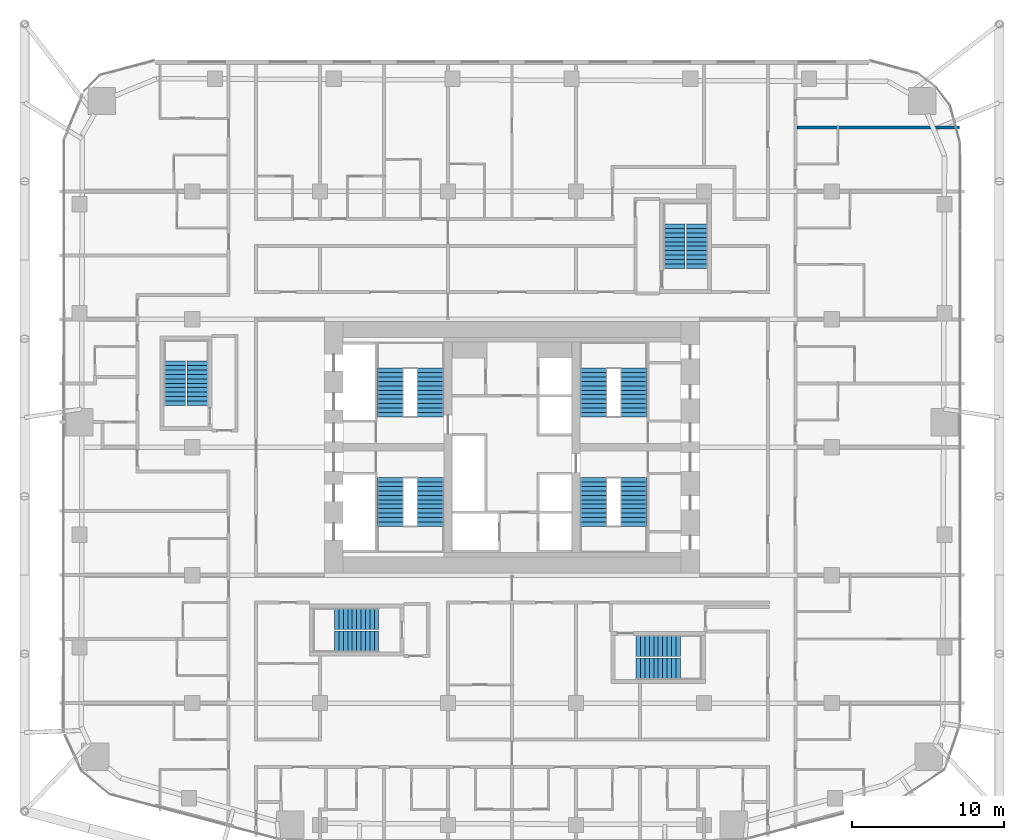
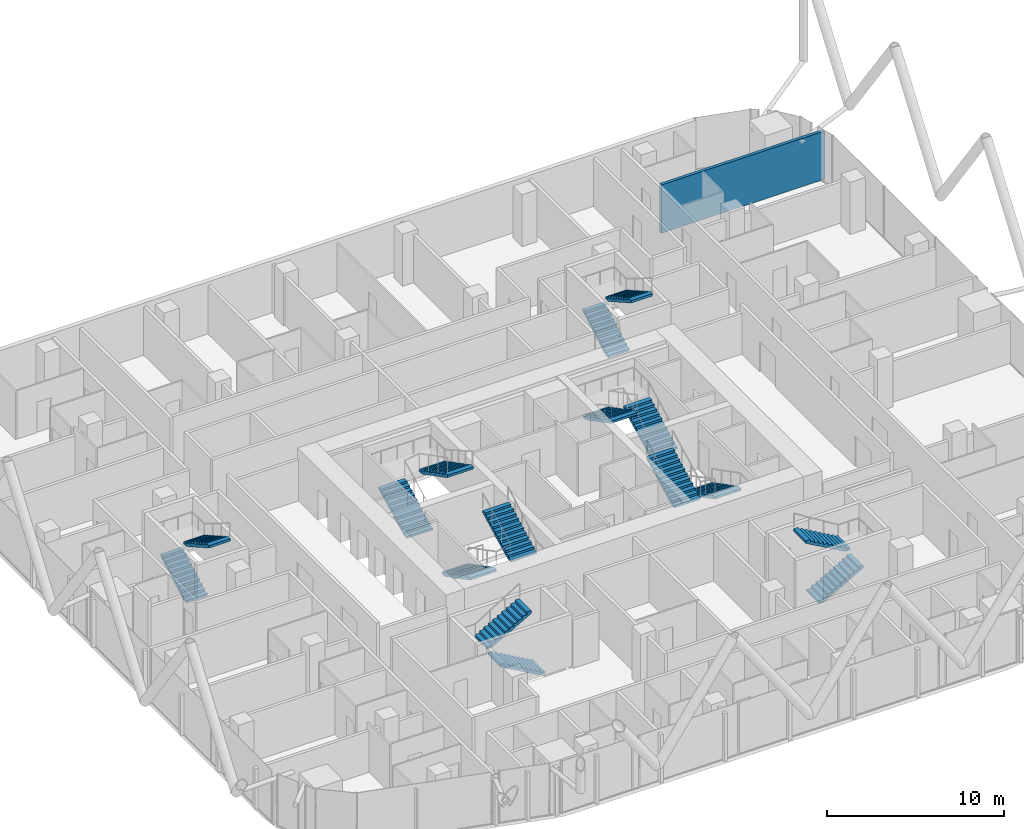
# One storey, part 36 of 38: 16 stair flights, 1 wall, 8 elements without a shape of their own.
"""IFC4 building model written with IfcOpenShell, lengths in metres."""

import ifcopenshell
import ifcopenshell.guid

model = None  # the IFC model being written
_history = None  # IfcOwnerHistory: only IFC2X3 demands one
_inside = {}  # id of a spatial element -> (the spatial element, [elements in it])
_under = {}  # id of a project, library or spatial element -> (it, [spatial elements below it])
_declared = {}  # id of a project -> (the project, [libraries it declares])
_typed = {}  # id of a type object -> (the type object, [elements of that type])
_made_of = {}  # id of a material, layer set ... -> (it, [elements and type objects made of it])


def new_model(schema):
    """Start an empty IFC model of exactly this schema.

    Asked for "IFC4X3", IfcOpenShell would pick the latest addendum, in which some entities
    have other attributes; the version numbers below select the first issue.
    IFC2X3 requires an IfcOwnerHistory on every rooted entity: one is made here for all.
    """
    global model, _history
    if schema == "IFC4X3":
        model = ifcopenshell.file(schema_version=(4, 3, 0, 0))
    else:
        model = ifcopenshell.file(schema=schema)
    _inside.clear()
    _under.clear()
    _declared.clear()
    _typed.clear()
    _made_of.clear()
    _history = None
    if model.schema == "IFC2X3":
        org = make("IfcOrganization", Name="unknown")
        user = make(
            "IfcPersonAndOrganization",
            ThePerson=make("IfcPerson", FamilyName="unknown"),
            TheOrganization=org,
        )
        app = make(
            "IfcApplication",
            ApplicationDeveloper=org,
            Version="unknown",
            ApplicationFullName="unknown",
            ApplicationIdentifier="unknown",
        )
        _history = make(
            "IfcOwnerHistory",
            OwningUser=user,
            OwningApplication=app,
            ChangeAction="ADDED",
            CreationDate=0,
        )
    return model


def make(cls, **values):
    """One entity of the class cls with the attributes given. An attribute that is None is left unset."""
    return model.create_entity(
        cls, **{name: value for name, value in values.items() if value is not None}
    )


def rooted(cls, **values):
    """An entity with a GlobalId (a new one), such as an element, a storey or a relation."""
    return make(cls, GlobalId=ifcopenshell.guid.new(), OwnerHistory=_history, **values)


def si_unit(unit_type, name, prefix=None):
    """IfcSIUnit, for example si_unit("LENGTHUNIT", "METRE", prefix="MILLI")."""
    return make("IfcSIUnit", UnitType=unit_type, Prefix=prefix, Name=name)


def assignment(units):
    """IfcUnitAssignment: the units of a project."""
    return None if units is None else make("IfcUnitAssignment", Units=units)


def point(xyz):
    """IfcCartesianPoint."""
    return None if xyz is None else make("IfcCartesianPoint", Coordinates=xyz)


def direction(xyz):
    """IfcDirection."""
    return None if xyz is None else make("IfcDirection", DirectionRatios=xyz)


def frame(location, z_axis=None, x_axis=None):
    """IfcAxis2Placement3D, a coordinate frame: its origin and axes. An axis left out is left unset."""
    return make(
        "IfcAxis2Placement3D",
        Location=point(location),
        Axis=direction(z_axis),
        RefDirection=direction(x_axis),
    )


def frame_2d(location, x_axis=None):
    """IfcAxis2Placement2D, a coordinate frame in the plane: its origin and x axis."""
    return make(
        "IfcAxis2Placement2D", Location=point(location), RefDirection=direction(x_axis)
    )


def origin():
    """The frame at (0, 0, 0) with its axes left unset."""
    return frame((0.0, 0.0, 0.0))


def place(relative_to, where):
    """IfcLocalPlacement: puts the frame where relative to a parent placement (None: the world)."""
    return make(
        "IfcLocalPlacement", PlacementRelTo=relative_to, RelativePlacement=where
    )


def context(
    kind, dimensions, precision=None, world=None, true_north=None, identifier=None
):
    """IfcGeometricRepresentationContext, for example the 3D "Model" context."""
    return make(
        "IfcGeometricRepresentationContext",
        ContextIdentifier=identifier,
        ContextType=kind,
        CoordinateSpaceDimension=dimensions,
        Precision=precision,
        WorldCoordinateSystem=world,
        TrueNorth=true_north,
    )


def subcontext(parent, identifier, kind, view, scale=None):
    """IfcGeometricRepresentationSubContext, for example "Body" below "Model"."""
    return make(
        "IfcGeometricRepresentationSubContext",
        ContextIdentifier=identifier,
        ContextType=kind,
        ParentContext=parent,
        TargetScale=scale,
        TargetView=view,
    )


def project(units=None, contexts=None):
    """IfcProject with its units and contexts."""
    return rooted(
        "IfcProject",
        Name="project",
        RepresentationContexts=contexts,
        UnitsInContext=assignment(units),
    )


def spatial(cls, under=None, at=None, **own):
    """A site, building, storey or space (cls), placed at a placement, below another one or the project."""
    s = rooted(cls, ObjectPlacement=at, **own)
    if under is not None:
        _under.setdefault(under.id(), (under, []))[1].append(s)
    return s


def polyline(points):
    """IfcPolyline through the points."""
    return make("IfcPolyline", Points=[point(p) for p in points])


def profile(cls, at=None, kind="AREA", **sizes):
    """A parametric profile (cls). Its sizes go by their IFC names, for example OverallWidth=200.0."""
    return make(cls, ProfileType=kind, Position=at, **sizes)


def rectangle(**sizes):
    """IfcRectangleProfileDef."""
    return profile("IfcRectangleProfileDef", **sizes)


def outline(outer, holes=None, kind="AREA"):
    """IfcArbitraryClosedProfileDef: a profile drawn as a closed curve; with holes, ...WithVoids."""
    if holes is None:
        return make("IfcArbitraryClosedProfileDef", ProfileType=kind, OuterCurve=outer)
    return make(
        "IfcArbitraryProfileDefWithVoids",
        ProfileType=kind,
        OuterCurve=outer,
        InnerCurves=holes,
    )


def extrude(swept, where, along, depth):
    """IfcExtrudedAreaSolid: the profile swept, set in the frame where, extruded along a direction by depth."""
    return make(
        "IfcExtrudedAreaSolid",
        SweptArea=swept,
        Position=where,
        ExtrudedDirection=direction(along),
        Depth=depth,
    )


def shape(context_of_items, identifier, shape_type, items):
    """IfcShapeRepresentation: the items that make up one representation, for example the "Body"."""
    return make(
        "IfcShapeRepresentation",
        ContextOfItems=context_of_items,
        RepresentationIdentifier=identifier,
        RepresentationType=shape_type,
        Items=items,
    )


def material(Name=None, Category=None):
    """IfcMaterial."""
    return make("IfcMaterial", Name=Name, Category=Category)


def layer(
    of_material, thickness, ventilated=None, Name=None, Category=None, Priority=None
):
    """IfcMaterialLayer: one layer of a wall or slab, of a material (None: an air gap)."""
    return make(
        "IfcMaterialLayer",
        Material=of_material,
        LayerThickness=thickness,
        IsVentilated=ventilated,
        Name=Name,
        Category=Category,
        Priority=Priority,
    )


def layer_set(layers, Name=None):
    """IfcMaterialLayerSet."""
    return make("IfcMaterialLayerSet", MaterialLayers=layers, LayerSetName=Name)


def made_of(thing, what):
    """Note that an element or type object is made of a material, layer set ...; save() writes the relation."""
    if what is not None:
        _made_of.setdefault(what.id(), (what, []))[1].append(thing)
    return thing


def type_object(cls, material=None, **own):
    """A type object (cls), such as IfcWallType, which elements share."""
    return made_of(rooted(cls, **own), material)


def element(
    cls,
    number,
    at=None,
    inside=None,
    cuts=None,
    type_object=None,
    material=None,
    context=None,
    identifier="Body",
    shape_type=None,
    held_by="IfcProductDefinitionShape",
    body=None,
    shapes=None,
    **own,
):
    """One element of the class cls, such as IfcWall. Its Tag is "e" and its number.

    at: its placement. inside: the storey or other place that contains it. cuts: it is an
    opening in that element (IfcRelVoidsElement). A single representation is given by context,
    identifier, shape_type and body (its items); several are given by shapes. held_by: the class
    of the entity that holds the representations. save() writes the other relations.
    """
    e = rooted(cls, Tag="e%d" % number, ObjectPlacement=at, **own)
    if body is not None:
        shapes = [shape(context, identifier, shape_type, body)]
    if shapes is not None:
        e.Representation = make(held_by, Representations=shapes)
    if inside is not None:
        _inside.setdefault(inside.id(), (inside, []))[1].append(e)
    if cuts is not None:
        rooted(
            "IfcRelVoidsElement", RelatingBuildingElement=cuts, RelatedOpeningElement=e
        )
    if type_object is not None:
        _typed.setdefault(type_object.id(), (type_object, []))[1].append(e)
    return made_of(e, material)


def aggregate(whole, parts):
    """IfcRelAggregates: a whole, such as a stair, and the parts it consists of."""
    return rooted("IfcRelAggregates", RelatingObject=whole, RelatedObjects=parts)


def save(model, path):
    """Write the relations noted so far, then the file.

    IfcRelAggregates (storeys below a building ...), IfcRelContainedInSpatialStructure (elements
    in a storey), IfcRelDefinesByType, IfcRelAssociatesMaterial and IfcRelDeclares: one each for
    every whole, place, type object, material and project.
    """
    for whole, parts in _under.values():
        aggregate(whole, parts)
    for where, things in _inside.values():
        rooted(
            "IfcRelContainedInSpatialStructure",
            RelatedElements=things,
            RelatingStructure=where,
        )
    for kind, things in _typed.values():
        rooted("IfcRelDefinesByType", RelatedObjects=things, RelatingType=kind)
    for what, things in _made_of.values():
        rooted("IfcRelAssociatesMaterial", RelatedObjects=things, RelatingMaterial=what)
    for by, libraries in _declared.values():
        rooted("IfcRelDeclares", RelatingContext=by, RelatedDefinitions=libraries)
    model.write(path)


model = new_model("IFC4")

# Units and contexts
model_context = context("Model", 3, precision=1e-05, world=origin(), true_north=direction((0.0, 1.0)))
body_context = subcontext(model_context, "Body", "Model", "MODEL_VIEW")
ifc_project = project(units=[si_unit("LENGTHUNIT", "METRE"), si_unit("AREAUNIT", "SQUARE_METRE"), si_unit("VOLUMEUNIT", "CUBIC_METRE"), si_unit("PLANEANGLEUNIT", "RADIAN"), si_unit("MASSUNIT", "GRAM", prefix="KILO")], contexts=[model_context])

# Site, building, storey
site_placement = place(None, origin())
site = spatial("IfcSite", under=ifc_project, at=site_placement, CompositionType="ELEMENT")
building_placement = place(site_placement, origin())
building = spatial("IfcBuilding", under=site, at=building_placement, Name="Marenta Gate Hotel Tower", CompositionType="ELEMENT")
storey_placement = place(building_placement, frame((0.0, 0.0, 40.10009765625)))
storey = spatial("IfcBuildingStorey", under=building, at=storey_placement, Name="L07", CompositionType="ELEMENT", Elevation=40.10009765625)

# Wall
ifc_material_1 = material(Name="Gypsum board on steel stud", Category="steel")
ifc_layer = layer(ifc_material_1, 0.199951171875)
ifc_layer_set = layer_set([ifc_layer], Name="Gypsum board on steel stud")
wall_type = type_object("IfcWallType", Name="Room party wall 200 EI 60", PredefinedType="PARTITIONING", material=ifc_layer_set)
wall_placement = place(storey_placement, frame((18.699951171875, 29.39990234375, 0.0), z_axis=(0.0, 0.0, 1.0), x_axis=(1.0, 0.0, 0.0)))
element("IfcWall", 1, at=wall_placement, inside=storey, type_object=wall_type, Name="L07-PTN-W153", PredefinedType="PARTITIONING", context=body_context, shape_type="SweptSolid", body=[
    extrude(rectangle(XDim=10.693115234375, YDim=0.199951171875, at=frame_2d((5.3466796875, 0.0))), origin(), (0.0, 0.0, 1.0), 3.33984375),
])

# Stair, stair flights
ifc_material_2 = material(Name="Concrete C40", Category="concrete")
stair_type_1 = type_object("IfcStairType", Name="Core exit stair 1700 wide", PredefinedType="HALF_TURN_STAIR", material=ifc_material_2)
stair_1_placement = place(storey_placement, origin())
stair_1 = element("IfcStair", 2, at=stair_1_placement, inside=storey, type_object=stair_type_1, Name="Exit stair 1", PredefinedType="HALF_TURN_STAIR")
ifc_material_3 = material(Name="Concrete C40", Category="concrete")
stair_flight_type_1 = type_object("IfcStairFlightType", Name="Core stair flight 1700 riser 150.0 going 290", PredefinedType="STRAIGHT", material=ifc_material_3)
stair_flight_1_placement = place(storey_placement, frame((-8.0, 6.39990234375, 0.0), z_axis=(0.0, 0.0, 1.0), x_axis=(0.0, -1.0, 0.0)))
stair_flight_1 = element("IfcStairFlight", 3, at=stair_flight_1_placement, type_object=stair_flight_type_1, Name="ST1 flight 1", NumberOfRisers=12, NumberOfTreads=11, PredefinedType="STRAIGHT", RiserHeight=0.15, TreadLength=0.29, context=body_context, shape_type="SweptSolid", body=[
    extrude(outline(polyline([(0.0, 0.0), (0.0, 0.14990234375), (0.2900390625, 0.14990234375), (0.2900390625, 0.300048828125), (0.580078125, 0.300048828125), (0.580078125, 0.449951171875), (0.8701171875, 0.449951171875), (0.8701171875, 0.60009765625), (1.159912109375, 0.60009765625), (1.159912109375, 0.75), (1.449951171875, 0.75), (1.449951171875, 0.89990234375), (1.739990234375, 0.89990234375), (1.739990234375, 1.050048828125), (2.030029296875, 1.050048828125), (2.030029296875, 1.199951171875), (2.320068359375, 1.199951171875), (2.320068359375, 1.35009765625), (2.610107421875, 1.35009765625), (2.610107421875, 1.5), (2.89990234375, 1.5), (2.89990234375, 1.64990234375), (3.18994140625, 1.64990234375), (3.18994140625, 1.800048828125), (3.18994140625, 1.481201171875), (0.326171875, 0.0), (0.0, 0.0)])), frame((0.0, 0.85009765625, 0.0), z_axis=(0.0, -1.0, 0.0), x_axis=(1.0, 0.0, 0.0)), (0.0, 0.0, 1.0), 1.699951171875),
])
stair_flight_2_placement = place(storey_placement, frame((-5.35009765625, 3.2099609375, 1.7998046875), z_axis=(0.0, 0.0, 1.0), x_axis=(0.0, 1.0, 0.0)))
stair_flight_2 = element("IfcStairFlight", 4, at=stair_flight_2_placement, type_object=stair_flight_type_1, Name="ST1 flight 2", NumberOfRisers=12, NumberOfTreads=11, PredefinedType="STRAIGHT", RiserHeight=0.15, TreadLength=0.29, context=body_context, shape_type="SweptSolid", body=[
    extrude(outline(polyline([(0.0, 0.0), (0.0, 0.14990234375), (0.2900390625, 0.14990234375), (0.2900390625, 0.300048828125), (0.580078125, 0.300048828125), (0.580078125, 0.449951171875), (0.8701171875, 0.449951171875), (0.8701171875, 0.60009765625), (1.159912109375, 0.60009765625), (1.159912109375, 0.75), (1.449951171875, 0.75), (1.449951171875, 0.89990234375), (1.739990234375, 0.89990234375), (1.739990234375, 1.050048828125), (2.030029296875, 1.050048828125), (2.030029296875, 1.199951171875), (2.320068359375, 1.199951171875), (2.320068359375, 1.35009765625), (2.610107421875, 1.35009765625), (2.610107421875, 1.5), (2.89990234375, 1.5), (2.89990234375, 1.64990234375), (3.18994140625, 1.64990234375), (3.18994140625, 1.800048828125), (3.18994140625, 1.481201171875), (0.326171875, 0.0), (0.0, 0.0)])), frame((0.0, 0.85009765625, 0.0), z_axis=(0.0, -1.0, 0.0), x_axis=(1.0, 0.0, 0.0)), (0.0, 0.0, 1.0), 1.699951171875),
])
aggregate(stair_1, [stair_flight_1, stair_flight_2])

stair_2_placement = place(storey_placement, origin())
stair_2 = element("IfcStair", 5, at=stair_2_placement, inside=storey, type_object=stair_type_1, Name="Exit stair 2", PredefinedType="HALF_TURN_STAIR")
stair_flight_3_placement = place(storey_placement, frame((-8.0, 10.39990234375, 0.0), z_axis=(0.0, 0.0, 1.0), x_axis=(0.0, 1.0, 0.0)))
stair_flight_3 = element("IfcStairFlight", 6, at=stair_flight_3_placement, type_object=stair_flight_type_1, Name="ST2 flight 1", NumberOfRisers=12, NumberOfTreads=11, PredefinedType="STRAIGHT", RiserHeight=0.15, TreadLength=0.29, context=body_context, shape_type="SweptSolid", body=[
    extrude(outline(polyline([(0.0, 0.0), (0.0, 0.14990234375), (0.2900390625, 0.14990234375), (0.2900390625, 0.300048828125), (0.580078125, 0.300048828125), (0.580078125, 0.449951171875), (0.8701171875, 0.449951171875), (0.8701171875, 0.60009765625), (1.159912109375, 0.60009765625), (1.159912109375, 0.75), (1.449951171875, 0.75), (1.449951171875, 0.89990234375), (1.739990234375, 0.89990234375), (1.739990234375, 1.050048828125), (2.030029296875, 1.050048828125), (2.030029296875, 1.199951171875), (2.320068359375, 1.199951171875), (2.320068359375, 1.35009765625), (2.610107421875, 1.35009765625), (2.610107421875, 1.5), (2.89990234375, 1.5), (2.89990234375, 1.64990234375), (3.18994140625, 1.64990234375), (3.18994140625, 1.800048828125), (3.18994140625, 1.481201171875), (0.326171875, 0.0), (0.0, 0.0)])), frame((0.0, 0.85009765625, 0.0), z_axis=(0.0, -1.0, 0.0), x_axis=(1.0, 0.0, 0.0)), (0.0, 0.0, 1.0), 1.699951171875),
])
stair_flight_4_placement = place(storey_placement, frame((-5.35009765625, 13.590087890625, 1.7998046875), z_axis=(0.0, 0.0, 1.0), x_axis=(0.0, -1.0, 0.0)))
stair_flight_4 = element("IfcStairFlight", 7, at=stair_flight_4_placement, type_object=stair_flight_type_1, Name="ST2 flight 2", NumberOfRisers=12, NumberOfTreads=11, PredefinedType="STRAIGHT", RiserHeight=0.15, TreadLength=0.29, context=body_context, shape_type="SweptSolid", body=[
    extrude(outline(polyline([(0.0, 0.0), (0.0, 0.14990234375), (0.2900390625, 0.14990234375), (0.2900390625, 0.300048828125), (0.580078125, 0.300048828125), (0.580078125, 0.449951171875), (0.8701171875, 0.449951171875), (0.8701171875, 0.60009765625), (1.159912109375, 0.60009765625), (1.159912109375, 0.75), (1.449951171875, 0.75), (1.449951171875, 0.89990234375), (1.739990234375, 0.89990234375), (1.739990234375, 1.050048828125), (2.030029296875, 1.050048828125), (2.030029296875, 1.199951171875), (2.320068359375, 1.199951171875), (2.320068359375, 1.35009765625), (2.610107421875, 1.35009765625), (2.610107421875, 1.5), (2.89990234375, 1.5), (2.89990234375, 1.64990234375), (3.18994140625, 1.64990234375), (3.18994140625, 1.800048828125), (3.18994140625, 1.481201171875), (0.326171875, 0.0), (0.0, 0.0)])), frame((0.0, 0.85009765625, 0.0), z_axis=(0.0, -1.0, 0.0), x_axis=(1.0, 0.0, 0.0)), (0.0, 0.0, 1.0), 1.699951171875),
])
aggregate(stair_2, [stair_flight_3, stair_flight_4])

stair_3_placement = place(storey_placement, origin())
stair_3 = element("IfcStair", 8, at=stair_3_placement, inside=storey, type_object=stair_type_1, Name="Exit stair 3", PredefinedType="HALF_TURN_STAIR")
stair_flight_5_placement = place(storey_placement, frame((8.0, 6.39990234375, 0.0), z_axis=(0.0, 0.0, 1.0), x_axis=(0.0, -1.0, 0.0)))
stair_flight_5 = element("IfcStairFlight", 9, at=stair_flight_5_placement, type_object=stair_flight_type_1, Name="ST3 flight 1", NumberOfRisers=12, NumberOfTreads=11, PredefinedType="STRAIGHT", RiserHeight=0.15, TreadLength=0.29, context=body_context, shape_type="SweptSolid", body=[
    extrude(outline(polyline([(0.0, 0.0), (0.0, 0.14990234375), (0.2900390625, 0.14990234375), (0.2900390625, 0.300048828125), (0.580078125, 0.300048828125), (0.580078125, 0.449951171875), (0.8701171875, 0.449951171875), (0.8701171875, 0.60009765625), (1.159912109375, 0.60009765625), (1.159912109375, 0.75), (1.449951171875, 0.75), (1.449951171875, 0.89990234375), (1.739990234375, 0.89990234375), (1.739990234375, 1.050048828125), (2.030029296875, 1.050048828125), (2.030029296875, 1.199951171875), (2.320068359375, 1.199951171875), (2.320068359375, 1.35009765625), (2.610107421875, 1.35009765625), (2.610107421875, 1.5), (2.89990234375, 1.5), (2.89990234375, 1.64990234375), (3.18994140625, 1.64990234375), (3.18994140625, 1.800048828125), (3.18994140625, 1.481201171875), (0.326171875, 0.0), (0.0, 0.0)])), frame((0.0, 0.85009765625, 0.0), z_axis=(0.0, -1.0, 0.0), x_axis=(1.0, 0.0, 0.0)), (0.0, 0.0, 1.0), 1.699951171875),
])
stair_flight_6_placement = place(storey_placement, frame((5.35009765625, 3.2099609375, 1.7998046875), z_axis=(0.0, 0.0, 1.0), x_axis=(0.0, 1.0, 0.0)))
stair_flight_6 = element("IfcStairFlight", 10, at=stair_flight_6_placement, type_object=stair_flight_type_1, Name="ST3 flight 2", NumberOfRisers=12, NumberOfTreads=11, PredefinedType="STRAIGHT", RiserHeight=0.15, TreadLength=0.29, context=body_context, shape_type="SweptSolid", body=[
    extrude(outline(polyline([(0.0, 0.0), (0.0, 0.14990234375), (0.2900390625, 0.14990234375), (0.2900390625, 0.300048828125), (0.580078125, 0.300048828125), (0.580078125, 0.449951171875), (0.8701171875, 0.449951171875), (0.8701171875, 0.60009765625), (1.159912109375, 0.60009765625), (1.159912109375, 0.75), (1.449951171875, 0.75), (1.449951171875, 0.89990234375), (1.739990234375, 0.89990234375), (1.739990234375, 1.050048828125), (2.030029296875, 1.050048828125), (2.030029296875, 1.199951171875), (2.320068359375, 1.199951171875), (2.320068359375, 1.35009765625), (2.610107421875, 1.35009765625), (2.610107421875, 1.5), (2.89990234375, 1.5), (2.89990234375, 1.64990234375), (3.18994140625, 1.64990234375), (3.18994140625, 1.800048828125), (3.18994140625, 1.481201171875), (0.326171875, 0.0), (0.0, 0.0)])), frame((0.0, 0.85009765625, 0.0), z_axis=(0.0, -1.0, 0.0), x_axis=(1.0, 0.0, 0.0)), (0.0, 0.0, 1.0), 1.699951171875),
])
aggregate(stair_3, [stair_flight_5, stair_flight_6])

stair_4_placement = place(storey_placement, origin())
stair_4 = element("IfcStair", 11, at=stair_4_placement, inside=storey, type_object=stair_type_1, Name="Exit stair 4", PredefinedType="HALF_TURN_STAIR")
stair_flight_7_placement = place(storey_placement, frame((8.0, 10.39990234375, 0.0), z_axis=(0.0, 0.0, 1.0), x_axis=(0.0, 1.0, 0.0)))
stair_flight_7 = element("IfcStairFlight", 12, at=stair_flight_7_placement, type_object=stair_flight_type_1, Name="ST4 flight 1", NumberOfRisers=12, NumberOfTreads=11, PredefinedType="STRAIGHT", RiserHeight=0.15, TreadLength=0.29, context=body_context, shape_type="SweptSolid", body=[
    extrude(outline(polyline([(0.0, 0.0), (0.0, 0.14990234375), (0.2900390625, 0.14990234375), (0.2900390625, 0.300048828125), (0.580078125, 0.300048828125), (0.580078125, 0.449951171875), (0.8701171875, 0.449951171875), (0.8701171875, 0.60009765625), (1.159912109375, 0.60009765625), (1.159912109375, 0.75), (1.449951171875, 0.75), (1.449951171875, 0.89990234375), (1.739990234375, 0.89990234375), (1.739990234375, 1.050048828125), (2.030029296875, 1.050048828125), (2.030029296875, 1.199951171875), (2.320068359375, 1.199951171875), (2.320068359375, 1.35009765625), (2.610107421875, 1.35009765625), (2.610107421875, 1.5), (2.89990234375, 1.5), (2.89990234375, 1.64990234375), (3.18994140625, 1.64990234375), (3.18994140625, 1.800048828125), (3.18994140625, 1.481201171875), (0.326171875, 0.0), (0.0, 0.0)])), frame((0.0, 0.85009765625, 0.0), z_axis=(0.0, -1.0, 0.0), x_axis=(1.0, 0.0, 0.0)), (0.0, 0.0, 1.0), 1.699951171875),
])
stair_flight_8_placement = place(storey_placement, frame((5.35009765625, 13.590087890625, 1.7998046875), z_axis=(0.0, 0.0, 1.0), x_axis=(0.0, -1.0, 0.0)))
stair_flight_8 = element("IfcStairFlight", 13, at=stair_flight_8_placement, type_object=stair_flight_type_1, Name="ST4 flight 2", NumberOfRisers=12, NumberOfTreads=11, PredefinedType="STRAIGHT", RiserHeight=0.15, TreadLength=0.29, context=body_context, shape_type="SweptSolid", body=[
    extrude(outline(polyline([(0.0, 0.0), (0.0, 0.14990234375), (0.2900390625, 0.14990234375), (0.2900390625, 0.300048828125), (0.580078125, 0.300048828125), (0.580078125, 0.449951171875), (0.8701171875, 0.449951171875), (0.8701171875, 0.60009765625), (1.159912109375, 0.60009765625), (1.159912109375, 0.75), (1.449951171875, 0.75), (1.449951171875, 0.89990234375), (1.739990234375, 0.89990234375), (1.739990234375, 1.050048828125), (2.030029296875, 1.050048828125), (2.030029296875, 1.199951171875), (2.320068359375, 1.199951171875), (2.320068359375, 1.35009765625), (2.610107421875, 1.35009765625), (2.610107421875, 1.5), (2.89990234375, 1.5), (2.89990234375, 1.64990234375), (3.18994140625, 1.64990234375), (3.18994140625, 1.800048828125), (3.18994140625, 1.481201171875), (0.326171875, 0.0), (0.0, 0.0)])), frame((0.0, 0.85009765625, 0.0), z_axis=(0.0, -1.0, 0.0), x_axis=(1.0, 0.0, 0.0)), (0.0, 0.0, 1.0), 1.699951171875),
])
aggregate(stair_4, [stair_flight_7, stair_flight_8])

ifc_material_4 = material(Name="Concrete C40", Category="concrete")
stair_type_2 = type_object("IfcStairType", Name="Remote exit stair 1400 wide", PredefinedType="HALF_TURN_STAIR", material=ifc_material_4)
stair_5_placement = place(storey_placement, origin())
stair_5 = element("IfcStair", 14, at=stair_5_placement, inside=storey, type_object=stair_type_2, Name="Exit stair RS-Z1-1", PredefinedType="HALF_TURN_STAIR")
ifc_material_5 = material(Name="Concrete C40", Category="concrete")
stair_flight_type_2 = type_object("IfcStairFlightType", Name="Remote stair flight 1400 riser 163.6 going 290", PredefinedType="STRAIGHT", material=ifc_material_5)
stair_flight_9_placement = place(storey_placement, frame((8.14990234375, -6.14990234375, 0.0), z_axis=(0.0, 0.0, 1.0), x_axis=(1.0, 0.0, 0.0)))
stair_flight_9 = element("IfcStairFlight", 15, at=stair_flight_9_placement, type_object=stair_flight_type_2, Name="RS-Z1-1 flight 1", NumberOfRisers=11, NumberOfTreads=10, PredefinedType="STRAIGHT", RiserHeight=0.163636, TreadLength=0.29, context=body_context, shape_type="SweptSolid", body=[
    extrude(outline(polyline([(0.0, 0.0), (0.0, 0.16357421875), (0.2900390625, 0.16357421875), (0.2900390625, 0.327392578125), (0.580078125, 0.327392578125), (0.580078125, 0.490966796875), (0.8701171875, 0.490966796875), (0.8701171875, 0.654541015625), (1.159912109375, 0.654541015625), (1.159912109375, 0.818115234375), (1.449951171875, 0.818115234375), (1.449951171875, 0.98193359375), (1.739990234375, 0.98193359375), (1.739990234375, 1.1455078125), (2.030029296875, 1.1455078125), (2.030029296875, 1.30908203125), (2.320068359375, 1.30908203125), (2.320068359375, 1.47265625), (2.610107421875, 1.47265625), (2.610107421875, 1.636474609375), (2.89990234375, 1.636474609375), (2.89990234375, 1.800048828125), (2.89990234375, 1.46435546875), (0.304931640625, 0.0), (0.0, 0.0)])), frame((0.0, 0.699951171875, 0.0), z_axis=(0.0, -1.0, 0.0), x_axis=(1.0, 0.0, 0.0)), (0.0, 0.0, 1.0), 1.39990234375),
])
stair_flight_10_placement = place(storey_placement, frame((11.050048828125, -4.64990234375, 1.7998046875), z_axis=(0.0, 0.0, 1.0), x_axis=(-1.0, 0.0, 0.0)))
stair_flight_10 = element("IfcStairFlight", 16, at=stair_flight_10_placement, type_object=stair_flight_type_2, Name="RS-Z1-1 flight 2", NumberOfRisers=11, NumberOfTreads=10, PredefinedType="STRAIGHT", RiserHeight=0.163636, TreadLength=0.29, context=body_context, shape_type="SweptSolid", body=[
    extrude(outline(polyline([(0.0, 0.0), (0.0, 0.16357421875), (0.2900390625, 0.16357421875), (0.2900390625, 0.327392578125), (0.580078125, 0.327392578125), (0.580078125, 0.490966796875), (0.8701171875, 0.490966796875), (0.8701171875, 0.654541015625), (1.159912109375, 0.654541015625), (1.159912109375, 0.818115234375), (1.449951171875, 0.818115234375), (1.449951171875, 0.98193359375), (1.739990234375, 0.98193359375), (1.739990234375, 1.1455078125), (2.030029296875, 1.1455078125), (2.030029296875, 1.30908203125), (2.320068359375, 1.30908203125), (2.320068359375, 1.47265625), (2.610107421875, 1.47265625), (2.610107421875, 1.636474609375), (2.89990234375, 1.636474609375), (2.89990234375, 1.800048828125), (2.89990234375, 1.46435546875), (0.304931640625, 0.0), (0.0, 0.0)])), frame((0.0, 0.699951171875, 0.0), z_axis=(0.0, -1.0, 0.0), x_axis=(1.0, 0.0, 0.0)), (0.0, 0.0, 1.0), 1.39990234375),
])
aggregate(stair_5, [stair_flight_9, stair_flight_10])

stair_6_placement = place(storey_placement, origin())
stair_6 = element("IfcStair", 17, at=stair_6_placement, inside=storey, type_object=stair_type_2, Name="Exit stair RS-Z1-2", PredefinedType="HALF_TURN_STAIR")
stair_flight_11_placement = place(storey_placement, frame((-8.75, -4.35009765625, 0.0), z_axis=(0.0, 0.0, 1.0), x_axis=(-1.0, 0.0, 0.0)))
stair_flight_11 = element("IfcStairFlight", 18, at=stair_flight_11_placement, type_object=stair_flight_type_2, Name="RS-Z1-2 flight 1", NumberOfRisers=11, NumberOfTreads=10, PredefinedType="STRAIGHT", RiserHeight=0.163636, TreadLength=0.29, context=body_context, shape_type="SweptSolid", body=[
    extrude(outline(polyline([(0.0, 0.0), (0.0, 0.16357421875), (0.2900390625, 0.16357421875), (0.2900390625, 0.327392578125), (0.580078125, 0.327392578125), (0.580078125, 0.490966796875), (0.8701171875, 0.490966796875), (0.8701171875, 0.654541015625), (1.159912109375, 0.654541015625), (1.159912109375, 0.818115234375), (1.449951171875, 0.818115234375), (1.449951171875, 0.98193359375), (1.739990234375, 0.98193359375), (1.739990234375, 1.1455078125), (2.030029296875, 1.1455078125), (2.030029296875, 1.30908203125), (2.320068359375, 1.30908203125), (2.320068359375, 1.47265625), (2.610107421875, 1.47265625), (2.610107421875, 1.636474609375), (2.89990234375, 1.636474609375), (2.89990234375, 1.800048828125), (2.89990234375, 1.46435546875), (0.304931640625, 0.0), (0.0, 0.0)])), frame((0.0, 0.699951171875, 0.0), z_axis=(0.0, -1.0, 0.0), x_axis=(1.0, 0.0, 0.0)), (0.0, 0.0, 1.0), 1.39990234375),
])
stair_flight_12_placement = place(storey_placement, frame((-11.64990234375, -2.85009765625, 1.7998046875), z_axis=(0.0, 0.0, 1.0), x_axis=(1.0, 0.0, 0.0)))
stair_flight_12 = element("IfcStairFlight", 19, at=stair_flight_12_placement, type_object=stair_flight_type_2, Name="RS-Z1-2 flight 2", NumberOfRisers=11, NumberOfTreads=10, PredefinedType="STRAIGHT", RiserHeight=0.163636, TreadLength=0.29, context=body_context, shape_type="SweptSolid", body=[
    extrude(outline(polyline([(0.0, 0.0), (0.0, 0.16357421875), (0.2900390625, 0.16357421875), (0.2900390625, 0.327392578125), (0.580078125, 0.327392578125), (0.580078125, 0.490966796875), (0.8701171875, 0.490966796875), (0.8701171875, 0.654541015625), (1.159912109375, 0.654541015625), (1.159912109375, 0.818115234375), (1.449951171875, 0.818115234375), (1.449951171875, 0.98193359375), (1.739990234375, 0.98193359375), (1.739990234375, 1.1455078125), (2.030029296875, 1.1455078125), (2.030029296875, 1.30908203125), (2.320068359375, 1.30908203125), (2.320068359375, 1.47265625), (2.610107421875, 1.47265625), (2.610107421875, 1.636474609375), (2.89990234375, 1.636474609375), (2.89990234375, 1.800048828125), (2.89990234375, 1.46435546875), (0.304931640625, 0.0), (0.0, 0.0)])), frame((0.0, 0.699951171875, 0.0), z_axis=(0.0, -1.0, 0.0), x_axis=(1.0, 0.0, 0.0)), (0.0, 0.0, 1.0), 1.39990234375),
])
aggregate(stair_6, [stair_flight_11, stair_flight_12])

stair_7_placement = place(storey_placement, origin())
stair_7 = element("IfcStair", 20, at=stair_7_placement, inside=storey, type_object=stair_type_2, Name="Exit stair RS-Z1-3", PredefinedType="HALF_TURN_STAIR")
stair_flight_13_placement = place(storey_placement, frame((-22.14990234375, 11.14990234375, 0.0), z_axis=(0.0, 0.0, 1.0), x_axis=(0.0, 1.0, 0.0)))
stair_flight_13 = element("IfcStairFlight", 21, at=stair_flight_13_placement, type_object=stair_flight_type_2, Name="RS-Z1-3 flight 1", NumberOfRisers=11, NumberOfTreads=10, PredefinedType="STRAIGHT", RiserHeight=0.163636, TreadLength=0.29, context=body_context, shape_type="SweptSolid", body=[
    extrude(outline(polyline([(0.0, 0.0), (0.0, 0.16357421875), (0.2900390625, 0.16357421875), (0.2900390625, 0.327392578125), (0.580078125, 0.327392578125), (0.580078125, 0.490966796875), (0.8701171875, 0.490966796875), (0.8701171875, 0.654541015625), (1.159912109375, 0.654541015625), (1.159912109375, 0.818115234375), (1.449951171875, 0.818115234375), (1.449951171875, 0.98193359375), (1.739990234375, 0.98193359375), (1.739990234375, 1.1455078125), (2.030029296875, 1.1455078125), (2.030029296875, 1.30908203125), (2.320068359375, 1.30908203125), (2.320068359375, 1.47265625), (2.610107421875, 1.47265625), (2.610107421875, 1.636474609375), (2.89990234375, 1.636474609375), (2.89990234375, 1.800048828125), (2.89990234375, 1.46435546875), (0.304931640625, 0.0), (0.0, 0.0)])), frame((0.0, 0.699951171875, 0.0), z_axis=(0.0, -1.0, 0.0), x_axis=(1.0, 0.0, 0.0)), (0.0, 0.0, 1.0), 1.39990234375),
])
stair_flight_14_placement = place(storey_placement, frame((-20.64990234375, 14.050048828125, 1.7998046875), z_axis=(0.0, 0.0, 1.0), x_axis=(0.0, -1.0, 0.0)))
stair_flight_14 = element("IfcStairFlight", 22, at=stair_flight_14_placement, type_object=stair_flight_type_2, Name="RS-Z1-3 flight 2", NumberOfRisers=11, NumberOfTreads=10, PredefinedType="STRAIGHT", RiserHeight=0.163636, TreadLength=0.29, context=body_context, shape_type="SweptSolid", body=[
    extrude(outline(polyline([(0.0, 0.0), (0.0, 0.16357421875), (0.2900390625, 0.16357421875), (0.2900390625, 0.327392578125), (0.580078125, 0.327392578125), (0.580078125, 0.490966796875), (0.8701171875, 0.490966796875), (0.8701171875, 0.654541015625), (1.159912109375, 0.654541015625), (1.159912109375, 0.818115234375), (1.449951171875, 0.818115234375), (1.449951171875, 0.98193359375), (1.739990234375, 0.98193359375), (1.739990234375, 1.1455078125), (2.030029296875, 1.1455078125), (2.030029296875, 1.30908203125), (2.320068359375, 1.30908203125), (2.320068359375, 1.47265625), (2.610107421875, 1.47265625), (2.610107421875, 1.636474609375), (2.89990234375, 1.636474609375), (2.89990234375, 1.800048828125), (2.89990234375, 1.46435546875), (0.304931640625, 0.0), (0.0, 0.0)])), frame((0.0, 0.699951171875, 0.0), z_axis=(0.0, -1.0, 0.0), x_axis=(1.0, 0.0, 0.0)), (0.0, 0.0, 1.0), 1.39990234375),
])
aggregate(stair_7, [stair_flight_13, stair_flight_14])

stair_8_placement = place(storey_placement, origin())
stair_8 = element("IfcStair", 23, at=stair_8_placement, inside=storey, type_object=stair_type_2, Name="Exit stair RS-Z1-4", PredefinedType="HALF_TURN_STAIR")
stair_flight_15_placement = place(storey_placement, frame((10.64990234375, 20.14990234375, 0.0), z_axis=(0.0, 0.0, 1.0), x_axis=(0.0, 1.0, 0.0)))
stair_flight_15 = element("IfcStairFlight", 24, at=stair_flight_15_placement, type_object=stair_flight_type_2, Name="RS-Z1-4 flight 1", NumberOfRisers=11, NumberOfTreads=10, PredefinedType="STRAIGHT", RiserHeight=0.163636, TreadLength=0.29, context=body_context, shape_type="SweptSolid", body=[
    extrude(outline(polyline([(0.0, 0.0), (0.0, 0.16357421875), (0.2900390625, 0.16357421875), (0.2900390625, 0.327392578125), (0.580078125, 0.327392578125), (0.580078125, 0.490966796875), (0.8701171875, 0.490966796875), (0.8701171875, 0.654541015625), (1.159912109375, 0.654541015625), (1.159912109375, 0.818115234375), (1.449951171875, 0.818115234375), (1.449951171875, 0.98193359375), (1.739990234375, 0.98193359375), (1.739990234375, 1.1455078125), (2.030029296875, 1.1455078125), (2.030029296875, 1.30908203125), (2.320068359375, 1.30908203125), (2.320068359375, 1.47265625), (2.610107421875, 1.47265625), (2.610107421875, 1.636474609375), (2.89990234375, 1.636474609375), (2.89990234375, 1.800048828125), (2.89990234375, 1.46435546875), (0.304931640625, 0.0), (0.0, 0.0)])), frame((0.0, 0.699951171875, 0.0), z_axis=(0.0, -1.0, 0.0), x_axis=(1.0, 0.0, 0.0)), (0.0, 0.0, 1.0), 1.39990234375),
])
stair_flight_16_placement = place(storey_placement, frame((12.14990234375, 23.050048828125, 1.7998046875), z_axis=(0.0, 0.0, 1.0), x_axis=(0.0, -1.0, 0.0)))
stair_flight_16 = element("IfcStairFlight", 25, at=stair_flight_16_placement, type_object=stair_flight_type_2, Name="RS-Z1-4 flight 2", NumberOfRisers=11, NumberOfTreads=10, PredefinedType="STRAIGHT", RiserHeight=0.163636, TreadLength=0.29, context=body_context, shape_type="SweptSolid", body=[
    extrude(outline(polyline([(0.0, 0.0), (0.0, 0.16357421875), (0.2900390625, 0.16357421875), (0.2900390625, 0.327392578125), (0.580078125, 0.327392578125), (0.580078125, 0.490966796875), (0.8701171875, 0.490966796875), (0.8701171875, 0.654541015625), (1.159912109375, 0.654541015625), (1.159912109375, 0.818115234375), (1.449951171875, 0.818115234375), (1.449951171875, 0.98193359375), (1.739990234375, 0.98193359375), (1.739990234375, 1.1455078125), (2.030029296875, 1.1455078125), (2.030029296875, 1.30908203125), (2.320068359375, 1.30908203125), (2.320068359375, 1.47265625), (2.610107421875, 1.47265625), (2.610107421875, 1.636474609375), (2.89990234375, 1.636474609375), (2.89990234375, 1.800048828125), (2.89990234375, 1.46435546875), (0.304931640625, 0.0), (0.0, 0.0)])), frame((0.0, 0.699951171875, 0.0), z_axis=(0.0, -1.0, 0.0), x_axis=(1.0, 0.0, 0.0)), (0.0, 0.0, 1.0), 1.39990234375),
])
aggregate(stair_8, [stair_flight_15, stair_flight_16])

save(model, "model.ifc")
